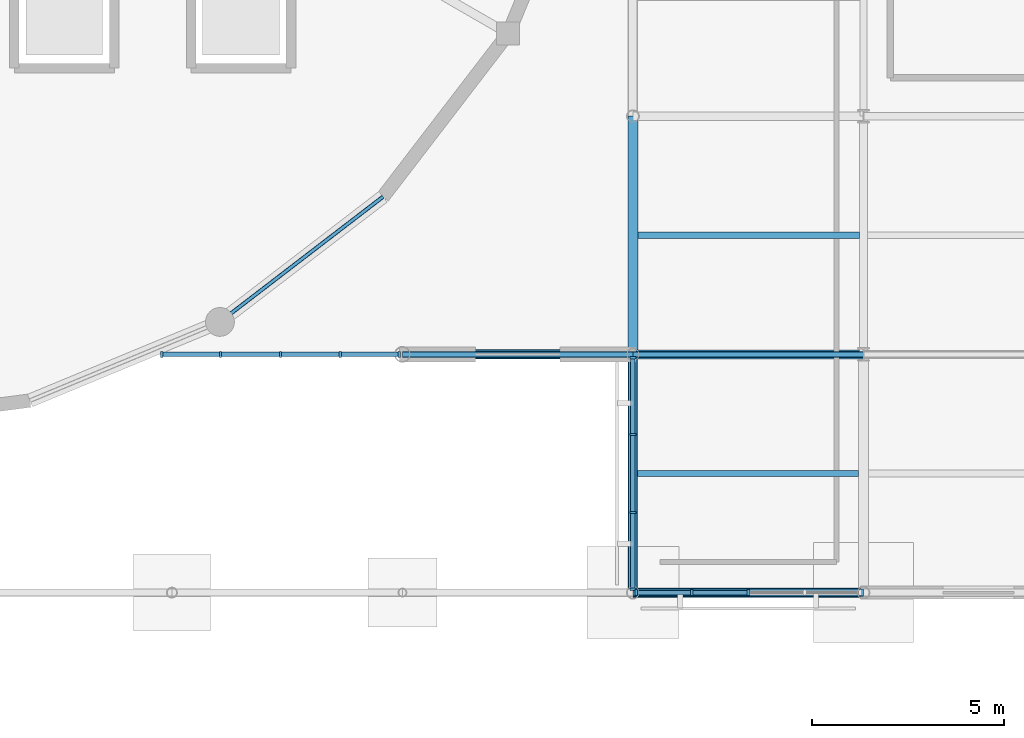
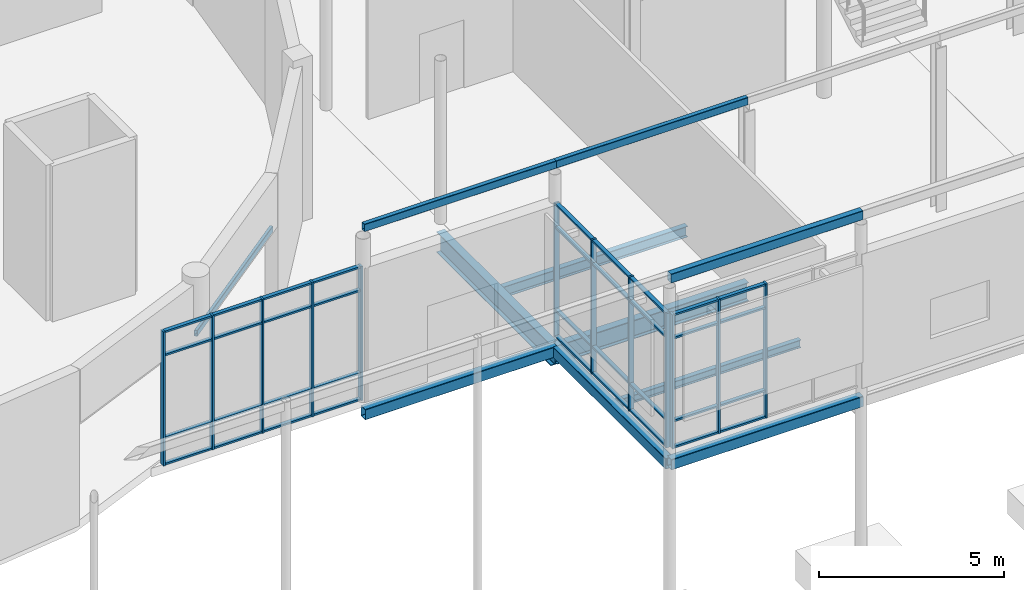
# One storey, part 37 of 98: 48 members, 11 beams, 3 elements without a shape of their own.
"""IFC4 building model written with IfcOpenShell, lengths in metres."""

from ifc_helpers import new_model, si_unit, direction, frame, origin, origin_2d, place, context, subcontext, project, spatial, rectangle, hollow_rectangle, i_section, extrude, material, layer, layer_set, material_profile, profile_set, type_object, element, aggregate, save


model = new_model("IFC4")

# Units and contexts
model_context = context("Model", 3, precision=1e-05, world=origin(), true_north=direction((0.0, 1.0)))
body_context = subcontext(model_context, "Body", "Model", "MODEL_VIEW")
ifc_project = project(units=[si_unit("LENGTHUNIT", "METRE"), si_unit("AREAUNIT", "SQUARE_METRE"), si_unit("VOLUMEUNIT", "CUBIC_METRE"), si_unit("PLANEANGLEUNIT", "RADIAN"), si_unit("MASSUNIT", "GRAM", prefix="KILO")], contexts=[model_context])

# Site, building, storey
site_placement = place(None, origin())
site = spatial("IfcSite", under=ifc_project, at=site_placement, CompositionType="ELEMENT")
building_placement = place(site_placement, origin())
building = spatial("IfcBuilding", under=site, at=building_placement, Name="Mirzam Square Science Centre", CompositionType="ELEMENT")
storey_placement = place(building_placement, origin())
storey = spatial("IfcBuildingStorey", under=building, at=storey_placement, Name="L00", CompositionType="ELEMENT", Elevation=0.0)

# Beams
ifc_material_1 = material(Name="Steel S355", Category="steel")
ifc_material_profile_1 = material_profile(ifc_material_1, i_section(OverallWidth=0.22900390625, OverallDepth=0.6123046875, WebThickness=0.011962890625, FlangeThickness=0.01953125, FilletRadius=0.0126953125, at=origin_2d()), Name="610x229x125UB")
ifc_profile_set_1 = profile_set([ifc_material_profile_1], Name="Steel S355")
beam_type_1 = type_object("IfcBeamType", Name="BM-UB610", PredefinedType="BEAM", material=ifc_profile_set_1)
beam_1_placement = place(storey_placement, frame((102.0, 43.39990234375, -0.606201171875), z_axis=(1.0, 0.0, 0.0), x_axis=(0.0, 1.0, 0.0)))
element("IfcBeam", 1, at=beam_1_placement, inside=storey, type_object=beam_type_1, Name="L00 girder X18-8", PredefinedType="BEAM", context=body_context, shape_type="SweptSolid", body=[
    extrude(i_section(OverallWidth=0.22900390625, OverallDepth=0.6123046875, WebThickness=0.011962890625, FlangeThickness=0.01953125, FilletRadius=0.0126953125, at=origin_2d()), origin(), (0.0, 0.0, 1.0), 6.0),
])
ifc_material_profile_2 = material_profile(ifc_material_1, i_section(OverallWidth=0.25439453125, OverallDepth=0.6875, WebThickness=0.01318359375, FlangeThickness=0.02099609375, FilletRadius=0.01513671875, at=origin_2d()), Name="686x254x152UB")
ifc_profile_set_2 = profile_set([ifc_material_profile_2], Name="Steel S355")
beam_type_2 = type_object("IfcBeamType", Name="BM-UB686", PredefinedType="BEAM", material=ifc_profile_set_2)
beam_2_placement = place(storey_placement, frame((102.0, 43.39990234375, -0.643798828125), z_axis=(0.0, 1.0, 0.0), x_axis=(-1.0, 0.0, 0.0)))
element("IfcBeam", 2, at=beam_2_placement, inside=storey, type_object=beam_type_2, Name="L00 girder Y18-8", PredefinedType="BEAM", context=body_context, shape_type="SweptSolid", body=[
    extrude(i_section(OverallWidth=0.25439453125, OverallDepth=0.6875, WebThickness=0.01318359375, FlangeThickness=0.02099609375, FilletRadius=0.01513671875, at=origin_2d()), origin(), (0.0, 0.0, 1.0), 6.2001953125),
])

# Curtain wall, members
ifc_material_2 = material(Name="Anodised Aluminium and Low-E Solar Glass", Category="aluminium")
ifc_layer_1 = layer(ifc_material_2, 0.179931640625)
ifc_layer_set_1 = layer_set([ifc_layer_1], Name="CW-LINK-A")
curtain_wall_type_1 = type_object("IfcCurtainWallType", Name="CW-LINK-A", PredefinedType="USERDEFINED", material=ifc_layer_set_1)
curtain_wall_1_placement = place(storey_placement, origin())
curtain_wall_1 = element("IfcCurtainWall", 3, at=curtain_wall_1_placement, inside=storey, type_object=curtain_wall_type_1, Name="L00 unitised curtain wall 49", ObjectType="UNITISED CURTAIN WALL", PredefinedType="USERDEFINED")
ifc_material_3 = material(Name="Anodised Architectural Aluminium 6063-T6", Category="aluminium")
ifc_material_profile_3 = material_profile(ifc_material_3, rectangle(XDim=0.06005859375, YDim=0.159912109375, at=origin_2d()), Name="ALU-MULL-160x60x4")
ifc_profile_set_3 = profile_set([ifc_material_profile_3], Name="Anodised Architectural Aluminium 6063-T6")
member_type_1 = type_object("IfcMemberType", Name="CWM-160", PredefinedType="MULLION", material=ifc_profile_set_3)
member_1_placement = place(storey_placement, frame((89.735107421875, 43.39990234375, 0.0), z_axis=(0.0, 0.0, 1.0), x_axis=(1.0, 0.0, 0.0)))
member_1 = element("IfcMember", 4, at=member_1_placement, type_object=member_type_1, Name="CW-08 mullion 1", PredefinedType="MULLION", context=body_context, shape_type="SweptSolid", body=[
    extrude(rectangle(XDim=0.06005859375, YDim=0.159912109375, at=origin_2d()), origin(), (0.0, 0.0, 1.0), 4.43994140625),
])
member_2_placement = place(storey_placement, frame((91.264892578125, 43.39990234375, 0.0), z_axis=(0.0, 0.0, 1.0), x_axis=(1.0, 0.0, 0.0)))
member_2 = element("IfcMember", 5, at=member_2_placement, type_object=member_type_1, Name="CW-08 mullion 2", PredefinedType="MULLION", context=body_context, shape_type="SweptSolid", body=[
    extrude(rectangle(XDim=0.06005859375, YDim=0.159912109375, at=origin_2d()), origin(), (0.0, 0.0, 1.0), 4.43994140625),
])
member_3_placement = place(storey_placement, frame((92.824951171875, 43.39990234375, 0.0), z_axis=(0.0, 0.0, 1.0), x_axis=(1.0, 0.0, 0.0)))
member_3 = element("IfcMember", 6, at=member_3_placement, type_object=member_type_1, Name="CW-08 mullion 3", PredefinedType="MULLION", context=body_context, shape_type="SweptSolid", body=[
    extrude(rectangle(XDim=0.06005859375, YDim=0.159912109375, at=origin_2d()), origin(), (0.0, 0.0, 1.0), 4.43994140625),
])
member_4_placement = place(storey_placement, frame((94.385009765625, 43.39990234375, 0.0), z_axis=(0.0, 0.0, 1.0), x_axis=(1.0, 0.0, 0.0)))
member_4 = element("IfcMember", 7, at=member_4_placement, type_object=member_type_1, Name="CW-08 mullion 4", PredefinedType="MULLION", context=body_context, shape_type="SweptSolid", body=[
    extrude(rectangle(XDim=0.06005859375, YDim=0.159912109375, at=origin_2d()), origin(), (0.0, 0.0, 1.0), 4.43994140625),
])
member_5_placement = place(storey_placement, frame((95.9150390625, 43.39990234375, 0.0), z_axis=(0.0, 0.0, 1.0), x_axis=(1.0, 0.0, 0.0)))
member_5 = element("IfcMember", 8, at=member_5_placement, type_object=member_type_1, Name="CW-08 mullion 5", PredefinedType="MULLION", context=body_context, shape_type="SweptSolid", body=[
    extrude(rectangle(XDim=0.06005859375, YDim=0.159912109375, at=origin_2d()), origin(), (0.0, 0.0, 1.0), 4.43994140625),
])

ifc_layer_2 = layer(ifc_material_2, 0.159912109375)
ifc_layer_set_2 = layer_set([ifc_layer_2], Name="CW-COURT-B")
curtain_wall_type_2 = type_object("IfcCurtainWallType", Name="CW-COURT-B", PredefinedType="USERDEFINED", material=ifc_layer_set_2)
curtain_wall_2_placement = place(storey_placement, origin())
curtain_wall_2 = element("IfcCurtainWall", 9, at=curtain_wall_2_placement, inside=storey, type_object=curtain_wall_type_2, Name="L00 unitised curtain wall 64", ObjectType="UNITISED CURTAIN WALL", PredefinedType="USERDEFINED")
member_6_placement = place(storey_placement, frame((102.0849609375, 37.199951171875, 0.0), z_axis=(0.0, 0.0, 1.0), x_axis=(1.0, 0.0, 0.0)))
member_6 = element("IfcMember", 10, at=member_6_placement, type_object=member_type_1, Name="CW-04 mullion 1", PredefinedType="MULLION", context=body_context, shape_type="SweptSolid", body=[
    extrude(rectangle(XDim=0.06005859375, YDim=0.159912109375, at=origin_2d()), origin(), (0.0, 0.0, 1.0), 4.43994140625),
])
member_7_placement = place(storey_placement, frame((103.527587890625, 37.199951171875, 0.0), z_axis=(0.0, 0.0, 1.0), x_axis=(1.0, 0.0, 0.0)))
member_7 = element("IfcMember", 11, at=member_7_placement, type_object=member_type_1, Name="CW-04 mullion 2", PredefinedType="MULLION", context=body_context, shape_type="SweptSolid", body=[
    extrude(rectangle(XDim=0.06005859375, YDim=0.159912109375, at=origin_2d()), origin(), (0.0, 0.0, 1.0), 4.43994140625),
])
member_8_placement = place(storey_placement, frame((105.0, 37.199951171875, 0.0), z_axis=(0.0, 0.0, 1.0), x_axis=(1.0, 0.0, 0.0)))
member_8 = element("IfcMember", 12, at=member_8_placement, type_object=member_type_1, Name="CW-04 mullion 3", PredefinedType="MULLION", context=body_context, shape_type="SweptSolid", body=[
    extrude(rectangle(XDim=0.06005859375, YDim=0.159912109375, at=origin_2d()), origin(), (0.0, 0.0, 1.0), 4.43994140625),
])

ifc_layer_3 = layer(ifc_material_2, 0.199951171875)
ifc_layer_set_3 = layer_set([ifc_layer_3], Name="CW-PARK-B")
curtain_wall_type_3 = type_object("IfcCurtainWallType", Name="CW-PARK-B", PredefinedType="USERDEFINED", material=ifc_layer_set_3)
curtain_wall_3_placement = place(storey_placement, origin())
curtain_wall_3 = element("IfcCurtainWall", 13, at=curtain_wall_3_placement, inside=storey, type_object=curtain_wall_type_3, Name="L00 unitised curtain wall 72", ObjectType="UNITISED CURTAIN WALL", PredefinedType="USERDEFINED")
member_9_placement = place(storey_placement, frame((102.0, 43.31494140625, 0.0), z_axis=(0.0, 0.0, 1.0), x_axis=(0.0, -1.0, 0.0)))
member_9 = element("IfcMember", 14, at=member_9_placement, type_object=member_type_1, Name="CW-02 mullion 1", PredefinedType="MULLION", context=body_context, shape_type="SweptSolid", body=[
    extrude(rectangle(XDim=0.06005859375, YDim=0.159912109375, at=origin_2d()), origin(), (0.0, 0.0, 1.0), 4.43994140625),
])
member_10_placement = place(storey_placement, frame((102.0, 41.31494140625, 0.0), z_axis=(0.0, 0.0, 1.0), x_axis=(0.0, -1.0, 0.0)))
member_10 = element("IfcMember", 15, at=member_10_placement, type_object=member_type_1, Name="CW-02 mullion 2", PredefinedType="MULLION", context=body_context, shape_type="SweptSolid", body=[
    extrude(rectangle(XDim=0.06005859375, YDim=0.159912109375, at=origin_2d()), origin(), (0.0, 0.0, 1.0), 4.43994140625),
])
member_11_placement = place(storey_placement, frame((102.0, 39.284912109375, 0.0), z_axis=(0.0, 0.0, 1.0), x_axis=(0.0, -1.0, 0.0)))
member_11 = element("IfcMember", 16, at=member_11_placement, type_object=member_type_1, Name="CW-02 mullion 3", PredefinedType="MULLION", context=body_context, shape_type="SweptSolid", body=[
    extrude(rectangle(XDim=0.06005859375, YDim=0.159912109375, at=origin_2d()), origin(), (0.0, 0.0, 1.0), 4.43994140625),
])
member_12_placement = place(storey_placement, frame((102.0, 37.284912109375, 0.0), z_axis=(0.0, 0.0, 1.0), x_axis=(0.0, -1.0, 0.0)))
member_12 = element("IfcMember", 17, at=member_12_placement, type_object=member_type_1, Name="CW-02 mullion 4", PredefinedType="MULLION", context=body_context, shape_type="SweptSolid", body=[
    extrude(rectangle(XDim=0.06005859375, YDim=0.159912109375, at=origin_2d()), origin(), (0.0, 0.0, 1.0), 4.43994140625),
])

# Member
ifc_material_profile_4 = material_profile(ifc_material_3, rectangle(XDim=0.1201171875, YDim=0.06005859375, at=origin_2d()), Name="ALU-TRAN-120x60x4")
ifc_profile_set_4 = profile_set([ifc_material_profile_4], Name="Anodised Architectural Aluminium 6063-T6")
member_type_2 = type_object("IfcMemberType", Name="CWT-120", PredefinedType="USERDEFINED", material=ifc_profile_set_4)
member_13_placement = place(storey_placement, frame((89.764892578125, 43.39990234375, 0.030029296875), z_axis=(1.0, 0.0, 0.0), x_axis=(0.0, 1.0, 0.0)))
member_13 = element("IfcMember", 18, at=member_13_placement, type_object=member_type_2, Name="CW-08 transom 1.1", ObjectType="TRANSOM", PredefinedType="USERDEFINED", context=body_context, shape_type="SweptSolid", body=[
    extrude(rectangle(XDim=0.1201171875, YDim=0.06005859375, at=origin_2d()), origin(), (0.0, 0.0, 1.0), 1.47021484375),
])

member_14_placement = place(storey_placement, frame((89.764892578125, 43.39990234375, 0.89990234375), z_axis=(1.0, 0.0, 0.0), x_axis=(0.0, 1.0, 0.0)))
member_14 = element("IfcMember", 19, at=member_14_placement, type_object=member_type_2, Name="CW-08 transom 1.2", ObjectType="TRANSOM", PredefinedType="USERDEFINED", context=body_context, shape_type="SweptSolid", body=[
    extrude(rectangle(XDim=0.1201171875, YDim=0.06005859375, at=origin_2d()), origin(), (0.0, 0.0, 1.0), 1.47021484375),
])

member_15_placement = place(storey_placement, frame((89.764892578125, 43.39990234375, 3.639892578125), z_axis=(1.0, 0.0, 0.0), x_axis=(0.0, 1.0, 0.0)))
member_15 = element("IfcMember", 20, at=member_15_placement, type_object=member_type_2, Name="CW-08 transom 1.3", ObjectType="TRANSOM", PredefinedType="USERDEFINED", context=body_context, shape_type="SweptSolid", body=[
    extrude(rectangle(XDim=0.1201171875, YDim=0.06005859375, at=origin_2d()), origin(), (0.0, 0.0, 1.0), 1.47021484375),
])

member_16_placement = place(storey_placement, frame((89.764892578125, 43.39990234375, 4.409912109375), z_axis=(1.0, 0.0, 0.0), x_axis=(0.0, 1.0, 0.0)))
member_16 = element("IfcMember", 21, at=member_16_placement, type_object=member_type_2, Name="CW-08 transom 1.4", ObjectType="TRANSOM", PredefinedType="USERDEFINED", context=body_context, shape_type="SweptSolid", body=[
    extrude(rectangle(XDim=0.1201171875, YDim=0.06005859375, at=origin_2d()), origin(), (0.0, 0.0, 1.0), 1.47021484375),
])

member_17_placement = place(storey_placement, frame((91.294921875, 43.39990234375, 0.030029296875), z_axis=(1.0, 0.0, 0.0), x_axis=(0.0, 1.0, 0.0)))
member_17 = element("IfcMember", 22, at=member_17_placement, type_object=member_type_2, Name="CW-08 transom 2.1", ObjectType="TRANSOM", PredefinedType="USERDEFINED", context=body_context, shape_type="SweptSolid", body=[
    extrude(rectangle(XDim=0.1201171875, YDim=0.06005859375, at=origin_2d()), origin(), (0.0, 0.0, 1.0), 1.5),
])

member_18_placement = place(storey_placement, frame((91.294921875, 43.39990234375, 0.89990234375), z_axis=(1.0, 0.0, 0.0), x_axis=(0.0, 1.0, 0.0)))
member_18 = element("IfcMember", 23, at=member_18_placement, type_object=member_type_2, Name="CW-08 transom 2.2", ObjectType="TRANSOM", PredefinedType="USERDEFINED", context=body_context, shape_type="SweptSolid", body=[
    extrude(rectangle(XDim=0.1201171875, YDim=0.06005859375, at=origin_2d()), origin(), (0.0, 0.0, 1.0), 1.5),
])

member_19_placement = place(storey_placement, frame((91.294921875, 43.39990234375, 3.639892578125), z_axis=(1.0, 0.0, 0.0), x_axis=(0.0, 1.0, 0.0)))
member_19 = element("IfcMember", 24, at=member_19_placement, type_object=member_type_2, Name="CW-08 transom 2.3", ObjectType="TRANSOM", PredefinedType="USERDEFINED", context=body_context, shape_type="SweptSolid", body=[
    extrude(rectangle(XDim=0.1201171875, YDim=0.06005859375, at=origin_2d()), origin(), (0.0, 0.0, 1.0), 1.5),
])

member_20_placement = place(storey_placement, frame((91.294921875, 43.39990234375, 4.409912109375), z_axis=(1.0, 0.0, 0.0), x_axis=(0.0, 1.0, 0.0)))
member_20 = element("IfcMember", 25, at=member_20_placement, type_object=member_type_2, Name="CW-08 transom 2.4", ObjectType="TRANSOM", PredefinedType="USERDEFINED", context=body_context, shape_type="SweptSolid", body=[
    extrude(rectangle(XDim=0.1201171875, YDim=0.06005859375, at=origin_2d()), origin(), (0.0, 0.0, 1.0), 1.5),
])

member_21_placement = place(storey_placement, frame((92.85498046875, 43.39990234375, 0.030029296875), z_axis=(1.0, 0.0, 0.0), x_axis=(0.0, 1.0, 0.0)))
member_21 = element("IfcMember", 26, at=member_21_placement, type_object=member_type_2, Name="CW-08 transom 3.1", ObjectType="TRANSOM", PredefinedType="USERDEFINED", context=body_context, shape_type="SweptSolid", body=[
    extrude(rectangle(XDim=0.1201171875, YDim=0.06005859375, at=origin_2d()), origin(), (0.0, 0.0, 1.0), 1.5),
])

member_22_placement = place(storey_placement, frame((92.85498046875, 43.39990234375, 0.89990234375), z_axis=(1.0, 0.0, 0.0), x_axis=(0.0, 1.0, 0.0)))
member_22 = element("IfcMember", 27, at=member_22_placement, type_object=member_type_2, Name="CW-08 transom 3.2", ObjectType="TRANSOM", PredefinedType="USERDEFINED", context=body_context, shape_type="SweptSolid", body=[
    extrude(rectangle(XDim=0.1201171875, YDim=0.06005859375, at=origin_2d()), origin(), (0.0, 0.0, 1.0), 1.5),
])

member_23_placement = place(storey_placement, frame((92.85498046875, 43.39990234375, 3.639892578125), z_axis=(1.0, 0.0, 0.0), x_axis=(0.0, 1.0, 0.0)))
member_23 = element("IfcMember", 28, at=member_23_placement, type_object=member_type_2, Name="CW-08 transom 3.3", ObjectType="TRANSOM", PredefinedType="USERDEFINED", context=body_context, shape_type="SweptSolid", body=[
    extrude(rectangle(XDim=0.1201171875, YDim=0.06005859375, at=origin_2d()), origin(), (0.0, 0.0, 1.0), 1.5),
])

member_24_placement = place(storey_placement, frame((92.85498046875, 43.39990234375, 4.409912109375), z_axis=(1.0, 0.0, 0.0), x_axis=(0.0, 1.0, 0.0)))
member_24 = element("IfcMember", 29, at=member_24_placement, type_object=member_type_2, Name="CW-08 transom 3.4", ObjectType="TRANSOM", PredefinedType="USERDEFINED", context=body_context, shape_type="SweptSolid", body=[
    extrude(rectangle(XDim=0.1201171875, YDim=0.06005859375, at=origin_2d()), origin(), (0.0, 0.0, 1.0), 1.5),
])

member_25_placement = place(storey_placement, frame((94.4150390625, 43.39990234375, 0.030029296875), z_axis=(1.0, 0.0, 0.0), x_axis=(0.0, 1.0, 0.0)))
member_25 = element("IfcMember", 30, at=member_25_placement, type_object=member_type_2, Name="CW-08 transom 4.1", ObjectType="TRANSOM", PredefinedType="USERDEFINED", context=body_context, shape_type="SweptSolid", body=[
    extrude(rectangle(XDim=0.1201171875, YDim=0.06005859375, at=origin_2d()), origin(), (0.0, 0.0, 1.0), 1.469970703125),
])

member_26_placement = place(storey_placement, frame((94.4150390625, 43.39990234375, 0.89990234375), z_axis=(1.0, 0.0, 0.0), x_axis=(0.0, 1.0, 0.0)))
member_26 = element("IfcMember", 31, at=member_26_placement, type_object=member_type_2, Name="CW-08 transom 4.2", ObjectType="TRANSOM", PredefinedType="USERDEFINED", context=body_context, shape_type="SweptSolid", body=[
    extrude(rectangle(XDim=0.1201171875, YDim=0.06005859375, at=origin_2d()), origin(), (0.0, 0.0, 1.0), 1.469970703125),
])

member_27_placement = place(storey_placement, frame((94.4150390625, 43.39990234375, 3.639892578125), z_axis=(1.0, 0.0, 0.0), x_axis=(0.0, 1.0, 0.0)))
member_27 = element("IfcMember", 32, at=member_27_placement, type_object=member_type_2, Name="CW-08 transom 4.3", ObjectType="TRANSOM", PredefinedType="USERDEFINED", context=body_context, shape_type="SweptSolid", body=[
    extrude(rectangle(XDim=0.1201171875, YDim=0.06005859375, at=origin_2d()), origin(), (0.0, 0.0, 1.0), 1.469970703125),
])

member_28_placement = place(storey_placement, frame((94.4150390625, 43.39990234375, 4.409912109375), z_axis=(1.0, 0.0, 0.0), x_axis=(0.0, 1.0, 0.0)))
member_28 = element("IfcMember", 33, at=member_28_placement, type_object=member_type_2, Name="CW-08 transom 4.4", ObjectType="TRANSOM", PredefinedType="USERDEFINED", context=body_context, shape_type="SweptSolid", body=[
    extrude(rectangle(XDim=0.1201171875, YDim=0.06005859375, at=origin_2d()), origin(), (0.0, 0.0, 1.0), 1.469970703125),
])

aggregate(curtain_wall_1, [member_1, member_2, member_3, member_4, member_5, member_13, member_14, member_15, member_16, member_17, member_18, member_19, member_20, member_21, member_22, member_23, member_24, member_25, member_26, member_27, member_28])

member_29_placement = place(storey_placement, frame((102.114990234375, 37.199951171875, 0.030029296875), z_axis=(1.0, 0.0, 0.0), x_axis=(0.0, 1.0, 0.0)))
member_29 = element("IfcMember", 34, at=member_29_placement, type_object=member_type_2, Name="CW-04 transom 1.1", ObjectType="TRANSOM", PredefinedType="USERDEFINED", context=body_context, shape_type="SweptSolid", body=[
    extrude(rectangle(XDim=0.1201171875, YDim=0.06005859375, at=origin_2d()), origin(), (0.0, 0.0, 1.0), 1.382568359375),
])

member_30_placement = place(storey_placement, frame((102.114990234375, 37.199951171875, 0.89990234375), z_axis=(1.0, 0.0, 0.0), x_axis=(0.0, 1.0, 0.0)))
member_30 = element("IfcMember", 35, at=member_30_placement, type_object=member_type_2, Name="CW-04 transom 1.2", ObjectType="TRANSOM", PredefinedType="USERDEFINED", context=body_context, shape_type="SweptSolid", body=[
    extrude(rectangle(XDim=0.1201171875, YDim=0.06005859375, at=origin_2d()), origin(), (0.0, 0.0, 1.0), 1.382568359375),
])

member_31_placement = place(storey_placement, frame((102.114990234375, 37.199951171875, 3.639892578125), z_axis=(1.0, 0.0, 0.0), x_axis=(0.0, 1.0, 0.0)))
member_31 = element("IfcMember", 36, at=member_31_placement, type_object=member_type_2, Name="CW-04 transom 1.3", ObjectType="TRANSOM", PredefinedType="USERDEFINED", context=body_context, shape_type="SweptSolid", body=[
    extrude(rectangle(XDim=0.1201171875, YDim=0.06005859375, at=origin_2d()), origin(), (0.0, 0.0, 1.0), 1.382568359375),
])

member_32_placement = place(storey_placement, frame((102.114990234375, 37.199951171875, 4.409912109375), z_axis=(1.0, 0.0, 0.0), x_axis=(0.0, 1.0, 0.0)))
member_32 = element("IfcMember", 37, at=member_32_placement, type_object=member_type_2, Name="CW-04 transom 1.4", ObjectType="TRANSOM", PredefinedType="USERDEFINED", context=body_context, shape_type="SweptSolid", body=[
    extrude(rectangle(XDim=0.1201171875, YDim=0.06005859375, at=origin_2d()), origin(), (0.0, 0.0, 1.0), 1.382568359375),
])

member_33_placement = place(storey_placement, frame((103.5576171875, 37.199951171875, 0.030029296875), z_axis=(1.0, 0.0, 0.0), x_axis=(0.0, 1.0, 0.0)))
member_33 = element("IfcMember", 38, at=member_33_placement, type_object=member_type_2, Name="CW-04 transom 2.1", ObjectType="TRANSOM", PredefinedType="USERDEFINED", context=body_context, shape_type="SweptSolid", body=[
    extrude(rectangle(XDim=0.1201171875, YDim=0.06005859375, at=origin_2d()), origin(), (0.0, 0.0, 1.0), 1.412353515625),
])

member_34_placement = place(storey_placement, frame((103.5576171875, 37.199951171875, 0.89990234375), z_axis=(1.0, 0.0, 0.0), x_axis=(0.0, 1.0, 0.0)))
member_34 = element("IfcMember", 39, at=member_34_placement, type_object=member_type_2, Name="CW-04 transom 2.2", ObjectType="TRANSOM", PredefinedType="USERDEFINED", context=body_context, shape_type="SweptSolid", body=[
    extrude(rectangle(XDim=0.1201171875, YDim=0.06005859375, at=origin_2d()), origin(), (0.0, 0.0, 1.0), 1.412353515625),
])

member_35_placement = place(storey_placement, frame((103.5576171875, 37.199951171875, 3.639892578125), z_axis=(1.0, 0.0, 0.0), x_axis=(0.0, 1.0, 0.0)))
member_35 = element("IfcMember", 40, at=member_35_placement, type_object=member_type_2, Name="CW-04 transom 2.3", ObjectType="TRANSOM", PredefinedType="USERDEFINED", context=body_context, shape_type="SweptSolid", body=[
    extrude(rectangle(XDim=0.1201171875, YDim=0.06005859375, at=origin_2d()), origin(), (0.0, 0.0, 1.0), 1.412353515625),
])

member_36_placement = place(storey_placement, frame((103.5576171875, 37.199951171875, 4.409912109375), z_axis=(1.0, 0.0, 0.0), x_axis=(0.0, 1.0, 0.0)))
member_36 = element("IfcMember", 41, at=member_36_placement, type_object=member_type_2, Name="CW-04 transom 2.4", ObjectType="TRANSOM", PredefinedType="USERDEFINED", context=body_context, shape_type="SweptSolid", body=[
    extrude(rectangle(XDim=0.1201171875, YDim=0.06005859375, at=origin_2d()), origin(), (0.0, 0.0, 1.0), 1.412353515625),
])

aggregate(curtain_wall_2, [member_6, member_7, member_8, member_29, member_30, member_31, member_32, member_33, member_34, member_35, member_36])

member_37_placement = place(storey_placement, frame((102.0, 43.284912109375, 0.030029296875), z_axis=(0.0, -1.0, 0.0), x_axis=(1.0, 0.0, 0.0)))
member_37 = element("IfcMember", 42, at=member_37_placement, type_object=member_type_2, Name="CW-02 transom 1.1", ObjectType="TRANSOM", PredefinedType="USERDEFINED", context=body_context, shape_type="SweptSolid", body=[
    extrude(rectangle(XDim=0.1201171875, YDim=0.06005859375, at=origin_2d()), origin(), (0.0, 0.0, 1.0), 1.93994140625),
])

member_38_placement = place(storey_placement, frame((102.0, 43.284912109375, 0.89990234375), z_axis=(0.0, -1.0, 0.0), x_axis=(1.0, 0.0, 0.0)))
member_38 = element("IfcMember", 43, at=member_38_placement, type_object=member_type_2, Name="CW-02 transom 1.2", ObjectType="TRANSOM", PredefinedType="USERDEFINED", context=body_context, shape_type="SweptSolid", body=[
    extrude(rectangle(XDim=0.1201171875, YDim=0.06005859375, at=origin_2d()), origin(), (0.0, 0.0, 1.0), 1.93994140625),
])

member_39_placement = place(storey_placement, frame((102.0, 43.284912109375, 3.639892578125), z_axis=(0.0, -1.0, 0.0), x_axis=(1.0, 0.0, 0.0)))
member_39 = element("IfcMember", 44, at=member_39_placement, type_object=member_type_2, Name="CW-02 transom 1.3", ObjectType="TRANSOM", PredefinedType="USERDEFINED", context=body_context, shape_type="SweptSolid", body=[
    extrude(rectangle(XDim=0.1201171875, YDim=0.06005859375, at=origin_2d()), origin(), (0.0, 0.0, 1.0), 1.93994140625),
])

member_40_placement = place(storey_placement, frame((102.0, 43.284912109375, 4.409912109375), z_axis=(0.0, -1.0, 0.0), x_axis=(1.0, 0.0, 0.0)))
member_40 = element("IfcMember", 45, at=member_40_placement, type_object=member_type_2, Name="CW-02 transom 1.4", ObjectType="TRANSOM", PredefinedType="USERDEFINED", context=body_context, shape_type="SweptSolid", body=[
    extrude(rectangle(XDim=0.1201171875, YDim=0.06005859375, at=origin_2d()), origin(), (0.0, 0.0, 1.0), 1.93994140625),
])

member_41_placement = place(storey_placement, frame((102.0, 41.284912109375, 0.030029296875), z_axis=(0.0, -1.0, 0.0), x_axis=(1.0, 0.0, 0.0)))
member_41 = element("IfcMember", 46, at=member_41_placement, type_object=member_type_2, Name="CW-02 transom 2.1", ObjectType="TRANSOM", PredefinedType="USERDEFINED", context=body_context, shape_type="SweptSolid", body=[
    extrude(rectangle(XDim=0.1201171875, YDim=0.06005859375, at=origin_2d()), origin(), (0.0, 0.0, 1.0), 1.969970703125),
])

member_42_placement = place(storey_placement, frame((102.0, 41.284912109375, 0.89990234375), z_axis=(0.0, -1.0, 0.0), x_axis=(1.0, 0.0, 0.0)))
member_42 = element("IfcMember", 47, at=member_42_placement, type_object=member_type_2, Name="CW-02 transom 2.2", ObjectType="TRANSOM", PredefinedType="USERDEFINED", context=body_context, shape_type="SweptSolid", body=[
    extrude(rectangle(XDim=0.1201171875, YDim=0.06005859375, at=origin_2d()), origin(), (0.0, 0.0, 1.0), 1.969970703125),
])

member_43_placement = place(storey_placement, frame((102.0, 41.284912109375, 3.639892578125), z_axis=(0.0, -1.0, 0.0), x_axis=(1.0, 0.0, 0.0)))
member_43 = element("IfcMember", 48, at=member_43_placement, type_object=member_type_2, Name="CW-02 transom 2.3", ObjectType="TRANSOM", PredefinedType="USERDEFINED", context=body_context, shape_type="SweptSolid", body=[
    extrude(rectangle(XDim=0.1201171875, YDim=0.06005859375, at=origin_2d()), origin(), (0.0, 0.0, 1.0), 1.969970703125),
])

member_44_placement = place(storey_placement, frame((102.0, 41.284912109375, 4.409912109375), z_axis=(0.0, -1.0, 0.0), x_axis=(1.0, 0.0, 0.0)))
member_44 = element("IfcMember", 49, at=member_44_placement, type_object=member_type_2, Name="CW-02 transom 2.4", ObjectType="TRANSOM", PredefinedType="USERDEFINED", context=body_context, shape_type="SweptSolid", body=[
    extrude(rectangle(XDim=0.1201171875, YDim=0.06005859375, at=origin_2d()), origin(), (0.0, 0.0, 1.0), 1.969970703125),
])

member_45_placement = place(storey_placement, frame((102.0, 39.2548828125, 0.030029296875), z_axis=(0.0, -1.0, 0.0), x_axis=(1.0, 0.0, 0.0)))
member_45 = element("IfcMember", 50, at=member_45_placement, type_object=member_type_2, Name="CW-02 transom 3.1", ObjectType="TRANSOM", PredefinedType="USERDEFINED", context=body_context, shape_type="SweptSolid", body=[
    extrude(rectangle(XDim=0.1201171875, YDim=0.06005859375, at=origin_2d()), origin(), (0.0, 0.0, 1.0), 1.93994140625),
])

member_46_placement = place(storey_placement, frame((102.0, 39.2548828125, 0.89990234375), z_axis=(0.0, -1.0, 0.0), x_axis=(1.0, 0.0, 0.0)))
member_46 = element("IfcMember", 51, at=member_46_placement, type_object=member_type_2, Name="CW-02 transom 3.2", ObjectType="TRANSOM", PredefinedType="USERDEFINED", context=body_context, shape_type="SweptSolid", body=[
    extrude(rectangle(XDim=0.1201171875, YDim=0.06005859375, at=origin_2d()), origin(), (0.0, 0.0, 1.0), 1.93994140625),
])

member_47_placement = place(storey_placement, frame((102.0, 39.2548828125, 3.639892578125), z_axis=(0.0, -1.0, 0.0), x_axis=(1.0, 0.0, 0.0)))
member_47 = element("IfcMember", 52, at=member_47_placement, type_object=member_type_2, Name="CW-02 transom 3.3", ObjectType="TRANSOM", PredefinedType="USERDEFINED", context=body_context, shape_type="SweptSolid", body=[
    extrude(rectangle(XDim=0.1201171875, YDim=0.06005859375, at=origin_2d()), origin(), (0.0, 0.0, 1.0), 1.93994140625),
])

member_48_placement = place(storey_placement, frame((102.0, 39.2548828125, 4.409912109375), z_axis=(0.0, -1.0, 0.0), x_axis=(1.0, 0.0, 0.0)))
member_48 = element("IfcMember", 53, at=member_48_placement, type_object=member_type_2, Name="CW-02 transom 3.4", ObjectType="TRANSOM", PredefinedType="USERDEFINED", context=body_context, shape_type="SweptSolid", body=[
    extrude(rectangle(XDim=0.1201171875, YDim=0.06005859375, at=origin_2d()), origin(), (0.0, 0.0, 1.0), 1.93994140625),
])

aggregate(curtain_wall_3, [member_9, member_10, member_11, member_12, member_37, member_38, member_39, member_40, member_41, member_42, member_43, member_44, member_45, member_46, member_47, member_48])

# Beams
ifc_material_profile_5 = material_profile(ifc_material_1, i_section(OverallWidth=0.146484375, OverallDepth=0.256103515625, WebThickness=0.00634765625, FlangeThickness=0.010986328125, FilletRadius=0.007568359375, at=origin_2d()), Name="254x146x37UB")
ifc_profile_set_5 = profile_set([ifc_material_profile_5], Name="Steel S355")
beam_type_3 = type_object("IfcBeamType", Name="JS-UB254", PredefinedType="JOIST", material=ifc_profile_set_5)
beam_3_placement = place(storey_placement, frame((102.125, 40.300048828125, -0.427978515625), z_axis=(1.0, 0.0, 0.0), x_axis=(0.0, 1.0, 0.0)))
element("IfcBeam", 54, at=beam_3_placement, inside=storey, type_object=beam_type_3, Name="L00 composite joist 18-7", PredefinedType="JOIST", context=body_context, shape_type="SweptSolid", body=[
    extrude(i_section(OverallWidth=0.146484375, OverallDepth=0.256103515625, WebThickness=0.00634765625, FlangeThickness=0.010986328125, FilletRadius=0.007568359375, at=origin_2d()), origin(), (0.0, 0.0, 1.0), 5.747802734375),
])
ifc_material_profile_6 = material_profile(ifc_material_1, i_section(OverallWidth=0.172119140625, OverallDepth=0.35791015625, WebThickness=0.008056640625, FlangeThickness=0.012939453125, FilletRadius=0.01025390625, at=origin_2d()), Name="356x171x57UB")
ifc_profile_set_6 = profile_set([ifc_material_profile_6], Name="Steel S355")
beam_type_4 = type_object("IfcBeamType", Name="JS-UB356", PredefinedType="JOIST", material=ifc_profile_set_6)
beam_4_placement = place(storey_placement, frame((102.127197265625, 46.5, -0.47900390625), z_axis=(1.0, 0.0, 0.0), x_axis=(0.0, 1.0, 0.0)))
element("IfcBeam", 55, at=beam_4_placement, inside=storey, type_object=beam_type_4, Name="L00 composite joist 18-8", PredefinedType="JOIST", context=body_context, shape_type="SweptSolid", body=[
    extrude(i_section(OverallWidth=0.172119140625, OverallDepth=0.35791015625, WebThickness=0.008056640625, FlangeThickness=0.012939453125, FilletRadius=0.01025390625, at=origin_2d()), origin(), (0.0, 0.0, 1.0), 5.767822265625),
])
ifc_material_profile_7 = material_profile(ifc_material_1, hollow_rectangle(XDim=0.10009765625, YDim=0.199951171875, WallThickness=0.008056640625, InnerFilletRadius=0.008056640625, OuterFilletRadius=0.01611328125, at=origin_2d()), Name="200x100x8.0RHS")
ifc_profile_set_7 = profile_set([ifc_material_profile_7], Name="Steel S355")
beam_type_5 = type_object("IfcBeamType", Name="LN-RHS200", PredefinedType="LINTEL", material=ifc_profile_set_7)
beam_5_placement = place(storey_placement, frame((91.25, 44.24658203125, 3.300048828125), z_axis=(0.793349293227, 0.60876670321, 0.0), x_axis=(-0.60876670321, 0.793349293227, 0.0)))
element("IfcBeam", 56, at=beam_5_placement, inside=storey, type_object=beam_type_5, Name="Drum portal lintel 21", PredefinedType="LINTEL", context=body_context, shape_type="SweptSolid", body=[
    extrude(hollow_rectangle(XDim=0.10009765625, YDim=0.199951171875, WallThickness=0.008056640625, InnerFilletRadius=0.008056640625, OuterFilletRadius=0.01611328125, at=origin_2d()), origin(), (0.0, 0.0, 1.0), 5.3515625),
])
ifc_material_profile_8 = material_profile(ifc_material_1, hollow_rectangle(XDim=0.14990234375, YDim=0.25, WallThickness=0.010009765625, InnerFilletRadius=0.010009765625, OuterFilletRadius=0.02001953125, at=origin_2d()), Name="250x150x10.0RHS")
ifc_profile_set_8 = profile_set([ifc_material_profile_8], Name="Steel S355")
beam_type_6 = type_object("IfcBeamType", Name="SP-RHS250", PredefinedType="SPANDREL", material=ifc_profile_set_8)
for number, where, z_axis, x_axis, name in (
    (57, (96.0, 43.39990234375, 5.669921875), (1.0, 0.0, 0.0), (0.0, 1.0, 0.0), "Square colonnade outer beam 17"),
    (58, (102.0, 43.39990234375, 5.669921875), (1.0, 0.0, 0.0), (0.0, 1.0, 0.0), "Square colonnade outer beam 18"),
):
    element("IfcBeam", number, at=place(storey_placement, frame(where, z_axis=z_axis, x_axis=x_axis)), inside=storey, type_object=beam_type_6, Name=name, PredefinedType="SPANDREL", context=body_context, shape_type="SweptSolid", body=[
        extrude(hollow_rectangle(XDim=0.14990234375, YDim=0.25, WallThickness=0.010009765625, InnerFilletRadius=0.010009765625, OuterFilletRadius=0.02001953125, at=origin_2d()), origin(), (0.0, 0.0, 1.0), 6.0),
    ])
ifc_material_profile_9 = material_profile(ifc_material_1, hollow_rectangle(XDim=0.199951171875, YDim=0.300048828125, WallThickness=0.010009765625, InnerFilletRadius=0.010009765625, OuterFilletRadius=0.02001953125, at=origin_2d()), Name="300x200x10.0RHS")
ifc_profile_set_9 = profile_set([ifc_material_profile_9], Name="Steel S355")
beam_type_7 = type_object("IfcBeamType", Name="SP-RHS300", PredefinedType="SPANDREL", material=ifc_profile_set_9)
beam_6_placement = place(storey_placement, frame((102.0, 37.199951171875, 5.669921875), z_axis=(1.0, 0.0, 0.0), x_axis=(0.0, 1.0, 0.0)))
element("IfcBeam", 59, at=beam_6_placement, inside=storey, type_object=beam_type_7, Name="Square colonnade beam 18", PredefinedType="SPANDREL", context=body_context, shape_type="SweptSolid", body=[
    extrude(hollow_rectangle(XDim=0.199951171875, YDim=0.300048828125, WallThickness=0.010009765625, InnerFilletRadius=0.010009765625, OuterFilletRadius=0.02001953125, at=origin_2d()), origin(), (0.0, 0.0, 1.0), 6.0),
])
ifc_material_profile_10 = material_profile(ifc_material_1, hollow_rectangle(XDim=0.25, YDim=0.35009765625, WallThickness=0.012451171875, InnerFilletRadius=0.012451171875, OuterFilletRadius=0.02490234375, at=origin_2d()), Name="350x250x12.5RHS")
ifc_profile_set_10 = profile_set([ifc_material_profile_10], Name="Steel S355")
beam_type_8 = type_object("IfcBeamType", Name="SP-RHS350", PredefinedType="SPANDREL", material=ifc_profile_set_10)
for number, where, z_axis, x_axis, name in (
    (60, (102.0, 37.199951171875, -0.47509765625), (1.0, 0.0, 0.0), (0.0, 1.0, 0.0), "L00 girder X18-7"),
    (61, (96.0, 43.39990234375, -0.47509765625), (1.0, 0.0, 0.0), (0.0, 1.0, 0.0), "L00 girder X17-8"),
):
    element("IfcBeam", number, at=place(storey_placement, frame(where, z_axis=z_axis, x_axis=x_axis)), inside=storey, type_object=beam_type_8, Name=name, PredefinedType="SPANDREL", context=body_context, shape_type="SweptSolid", body=[
        extrude(hollow_rectangle(XDim=0.25, YDim=0.35009765625, WallThickness=0.012451171875, InnerFilletRadius=0.012451171875, OuterFilletRadius=0.02490234375, at=origin_2d()), origin(), (0.0, 0.0, 1.0), 6.0),
    ])
beam_7_placement = place(storey_placement, frame((102.0, 37.199951171875, -0.47509765625), z_axis=(0.0, 1.0, 0.0), x_axis=(-1.0, 0.0, 0.0)))
element("IfcBeam", 62, at=beam_7_placement, inside=storey, type_object=beam_type_8, Name="L00 girder Y18-7", PredefinedType="SPANDREL", context=body_context, shape_type="SweptSolid", body=[
    extrude(hollow_rectangle(XDim=0.25, YDim=0.35009765625, WallThickness=0.012451171875, InnerFilletRadius=0.012451171875, OuterFilletRadius=0.02490234375, at=origin_2d()), origin(), (0.0, 0.0, 1.0), 6.199951171875),
])

save(model, "model.ifc")
